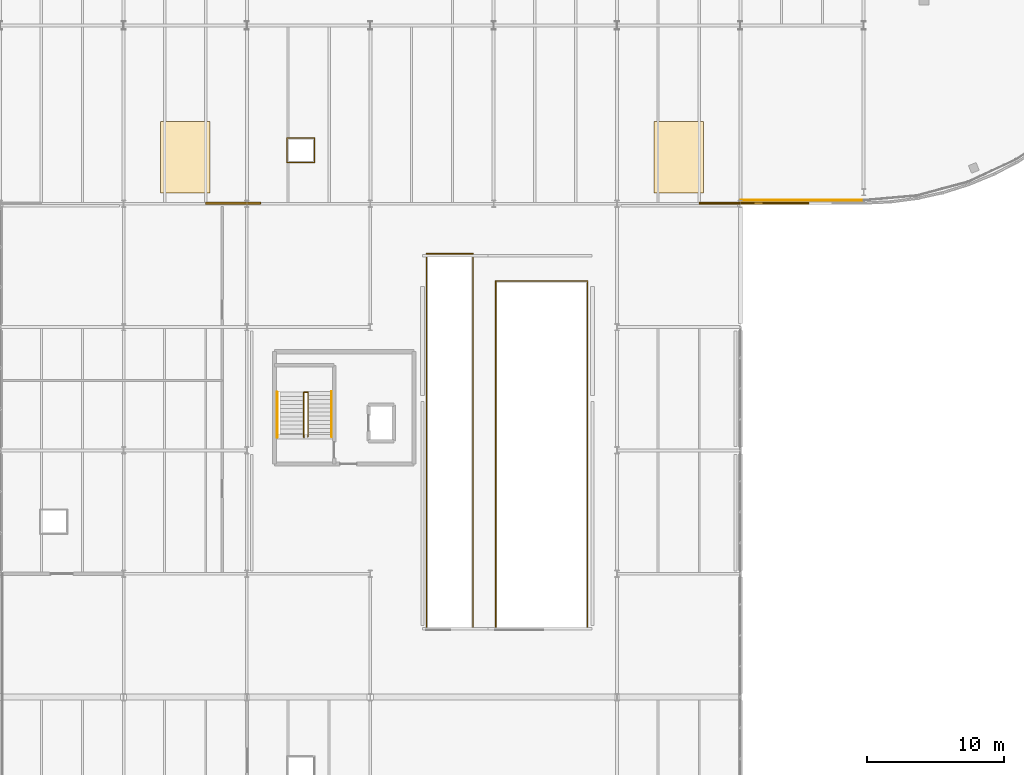
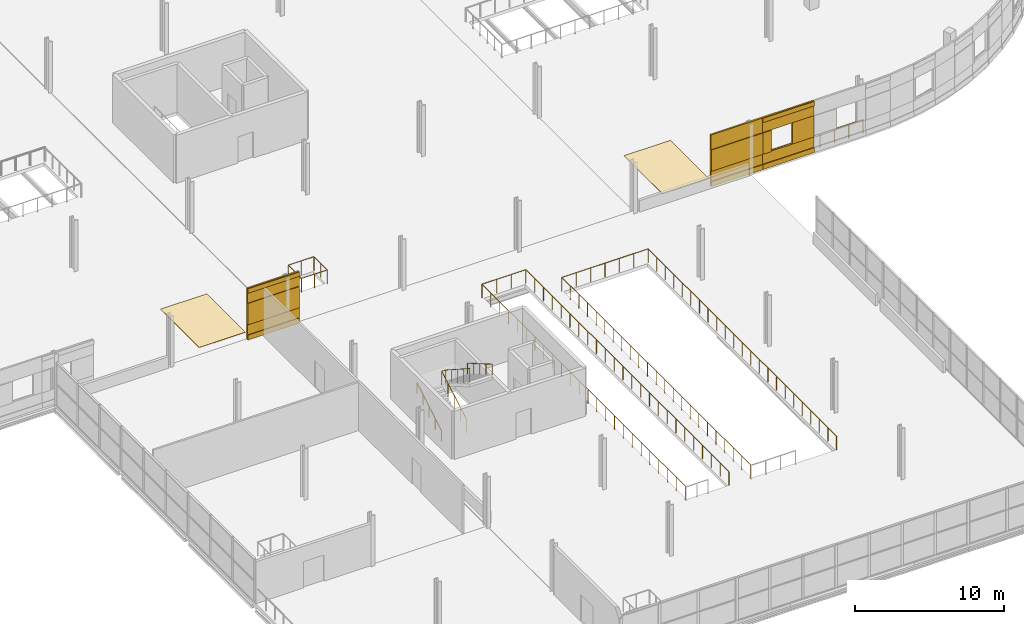
# One storey, part 81 of 88: 17 coverings, 8 railings.
"""IFC4 building model written with IfcOpenShell, lengths in metres."""

from ifc_helpers import new_model, si_unit, direction, frame, origin, origin_2d, place, context, subcontext, project, spatial, polyline, rectangle, circle, outline, extrude, material, layer, layer_set, type_object, element, save


model = new_model("IFC4")

# Units and contexts
model_context = context("Model", 3, precision=1e-05, world=origin(), true_north=direction((0.0, 1.0)))
body_context = subcontext(model_context, "Body", "Model", "MODEL_VIEW")
ifc_project = project(units=[si_unit("LENGTHUNIT", "METRE"), si_unit("AREAUNIT", "SQUARE_METRE"), si_unit("VOLUMEUNIT", "CUBIC_METRE"), si_unit("PLANEANGLEUNIT", "RADIAN"), si_unit("MASSUNIT", "GRAM", prefix="KILO")], contexts=[model_context])

# Site, building, storey
site_placement = place(None, origin())
site = spatial("IfcSite", under=ifc_project, at=site_placement, CompositionType="ELEMENT")
building_placement = place(site_placement, origin())
building = spatial("IfcBuilding", under=site, at=building_placement, Name="Deido Ridge Mobility Hub", CompositionType="ELEMENT")
storey_placement = place(building_placement, frame((0.0, 0.0, 16.800048828125)))
storey = spatial("IfcBuildingStorey", under=building, at=storey_placement, Name="L04", CompositionType="ELEMENT", Elevation=16.800048828125)

# Coverings
ifc_material_1 = material(Name="Fired clay brick masonry", Category="masonry")
ifc_layer_1 = layer(ifc_material_1, 0.114990234375, Name="Fired clay brick masonry")
ifc_layer_set_1 = layer_set([ifc_layer_1], Name="Fired clay brick masonry")
covering_type_1 = type_object("IfcCoveringType", Name="COV-BRK-SCREEN-115", PredefinedType="CLADDING", material=ifc_layer_set_1)
covering_1_placement = place(storey_placement, frame((71.0, 81.052490234375, 0.0), z_axis=(0.0, 0.0, 1.0), x_axis=(1.0, 0.0, 0.0)))
element("IfcCovering", 1, at=covering_1_placement, inside=storey, type_object=covering_type_1, Name="Open brickwork spandrel course BKS1 (L04)", PredefinedType="CLADDING", context=body_context, shape_type="SweptSolid", body=[
    extrude(rectangle(XDim=4.01611328125, YDim=0.125, at=origin_2d()), origin(), (0.0, 0.0, 1.0), 1.25),
])
covering_2_placement = place(storey_placement, frame((71.0, 81.02490234375, 0.0), z_axis=(0.0, 0.0, 1.0), x_axis=(1.0, 0.0, 0.0)))
element("IfcCovering", 2, at=covering_2_placement, inside=storey, type_object=covering_type_1, Name="Raised brick relief belt BKS1 (L04)", PredefinedType="CLADDING", context=body_context, shape_type="SweptSolid", body=[
    extrude(rectangle(XDim=4.01611328125, YDim=0.179931640625, at=origin_2d()), origin(), (0.0, 0.0, 1.0), 0.39990234375),
])
covering_3_placement = place(storey_placement, frame((71.0, 81.052490234375, 3.0), z_axis=(0.0, 0.0, 1.0), x_axis=(1.0, 0.0, 0.0)))
element("IfcCovering", 3, at=covering_3_placement, inside=storey, type_object=covering_type_1, Name="Open brickwork lintel course BKS1 (L04)", PredefinedType="CLADDING", context=body_context, shape_type="SweptSolid", body=[
    extrude(rectangle(XDim=4.01611328125, YDim=0.125, at=origin_2d()), origin(), (0.0, 0.0, 1.0), 1.199951171875),
])
covering_4_placement = place(storey_placement, frame((71.0, 81.02490234375, 3.83984375), z_axis=(0.0, 0.0, 1.0), x_axis=(1.0, 0.0, 0.0)))
element("IfcCovering", 4, at=covering_4_placement, inside=storey, type_object=covering_type_1, Name="Raised brick relief cornice BKS1 (L04)", PredefinedType="CLADDING", context=body_context, shape_type="SweptSolid", body=[
    extrude(rectangle(XDim=4.01611328125, YDim=0.179931640625, at=origin_2d()), origin(), (0.0, 0.0, 1.0), 0.360107421875),
])
covering_5_placement = place(storey_placement, frame((71.0, 81.02490234375, 1.25), z_axis=(0.0, 0.0, 1.0), x_axis=(1.0, 0.0, 0.0)))
element("IfcCovering", 5, at=covering_5_placement, inside=storey, type_object=covering_type_1, Name="Raised brick relief panel BKS1 (L04)", PredefinedType="CLADDING", context=body_context, shape_type="SweptSolid", body=[
    extrude(rectangle(XDim=4.008056640625, YDim=0.179931640625, at=origin_2d()), origin(), (0.0, 0.0, 1.0), 1.75),
])
covering_6_placement = place(storey_placement, frame((107.0, 81.052490234375, 0.0), z_axis=(0.0, 0.0, 1.0), x_axis=(1.0, 0.0, 0.0)))
element("IfcCovering", 6, at=covering_6_placement, inside=storey, type_object=covering_type_1, Name="Open brickwork spandrel course BKS1 (L04)", PredefinedType="CLADDING", context=body_context, shape_type="SweptSolid", body=[
    extrude(rectangle(XDim=4.01611328125, YDim=0.125, at=origin_2d()), origin(), (0.0, 0.0, 1.0), 1.25),
])
covering_7_placement = place(storey_placement, frame((107.0, 81.02490234375, 0.0), z_axis=(0.0, 0.0, 1.0), x_axis=(1.0, 0.0, 0.0)))
element("IfcCovering", 7, at=covering_7_placement, inside=storey, type_object=covering_type_1, Name="Raised brick relief belt BKS1 (L04)", PredefinedType="CLADDING", context=body_context, shape_type="SweptSolid", body=[
    extrude(rectangle(XDim=4.01611328125, YDim=0.179931640625, at=origin_2d()), origin(), (0.0, 0.0, 1.0), 0.39990234375),
])
covering_8_placement = place(storey_placement, frame((107.0, 81.052490234375, 3.0), z_axis=(0.0, 0.0, 1.0), x_axis=(1.0, 0.0, 0.0)))
element("IfcCovering", 8, at=covering_8_placement, inside=storey, type_object=covering_type_1, Name="Open brickwork lintel course BKS1 (L04)", PredefinedType="CLADDING", context=body_context, shape_type="SweptSolid", body=[
    extrude(rectangle(XDim=4.01611328125, YDim=0.125, at=origin_2d()), origin(), (0.0, 0.0, 1.0), 1.199951171875),
])
covering_9_placement = place(storey_placement, frame((107.0, 81.02490234375, 1.25), z_axis=(0.0, 0.0, 1.0), x_axis=(1.0, 0.0, 0.0)))
element("IfcCovering", 9, at=covering_9_placement, inside=storey, type_object=covering_type_1, Name="Raised brick relief panel BKS1 (L04)", PredefinedType="CLADDING", context=body_context, shape_type="SweptSolid", body=[
    extrude(rectangle(XDim=4.008056640625, YDim=0.179931640625, at=origin_2d()), origin(), (0.0, 0.0, 1.0), 1.75),
])
covering_10_placement = place(storey_placement, frame((111.0, 81.052490234375, 0.0), z_axis=(0.0, 0.0, 1.0), x_axis=(1.0, 0.0, 0.0)))
element("IfcCovering", 10, at=covering_10_placement, inside=storey, type_object=covering_type_1, Name="Open brickwork spandrel course BKS1 (L04)", PredefinedType="CLADDING", context=body_context, shape_type="SweptSolid", body=[
    extrude(rectangle(XDim=4.01611328125, YDim=0.125, at=origin_2d()), origin(), (0.0, 0.0, 1.0), 1.25),
])
covering_11_placement = place(storey_placement, frame((111.0, 81.02490234375, 0.0), z_axis=(0.0, 0.0, 1.0), x_axis=(1.0, 0.0, 0.0)))
element("IfcCovering", 11, at=covering_11_placement, inside=storey, type_object=covering_type_1, Name="Raised brick relief belt BKS1 (L04)", PredefinedType="CLADDING", context=body_context, shape_type="SweptSolid", body=[
    extrude(rectangle(XDim=4.01611328125, YDim=0.179931640625, at=origin_2d()), origin(), (0.0, 0.0, 1.0), 0.39990234375),
])
covering_12_placement = place(storey_placement, frame((111.0, 81.052490234375, 3.0), z_axis=(0.0, 0.0, 1.0), x_axis=(1.0, 0.0, 0.0)))
element("IfcCovering", 12, at=covering_12_placement, inside=storey, type_object=covering_type_1, Name="Open brickwork lintel course BKS1 (L04)", PredefinedType="CLADDING", context=body_context, shape_type="SweptSolid", body=[
    extrude(rectangle(XDim=4.01611328125, YDim=0.125, at=origin_2d()), origin(), (0.0, 0.0, 1.0), 1.199951171875),
])
covering_13_placement = place(storey_placement, frame((111.0, 81.02490234375, 3.83984375), z_axis=(0.0, 0.0, 1.0), x_axis=(1.0, 0.0, 0.0)))
element("IfcCovering", 13, at=covering_13_placement, inside=storey, type_object=covering_type_1, Name="Raised brick relief cornice BKS1 (L04)", PredefinedType="CLADDING", context=body_context, shape_type="SweptSolid", body=[
    extrude(rectangle(XDim=4.01611328125, YDim=0.179931640625, at=origin_2d()), origin(), (0.0, 0.0, 1.0), 0.360107421875),
])
covering_14_placement = place(storey_placement, frame((109.327392578125, 81.02490234375, 1.25), z_axis=(0.0, 0.0, 1.0), x_axis=(1.0, 0.0, 0.0)))
element("IfcCovering", 14, at=covering_14_placement, inside=storey, type_object=covering_type_1, Name="Open brickwork pier BKS1 (L04)", PredefinedType="CLADDING", context=body_context, shape_type="SweptSolid", body=[
    extrude(rectangle(XDim=0.655029296875, YDim=0.179931640625, at=origin_2d()), origin(), (0.0, 0.0, 1.0), 1.75),
])
covering_15_placement = place(storey_placement, frame((112.152587890625, 81.052490234375, 1.25), z_axis=(0.0, 0.0, 1.0), x_axis=(1.0, 0.0, 0.0)))
element("IfcCovering", 15, at=covering_15_placement, inside=storey, type_object=covering_type_1, Name="Open brickwork pier BKS1 (L04)", PredefinedType="CLADDING", context=body_context, shape_type="SweptSolid", body=[
    extrude(rectangle(XDim=1.695068359375, YDim=0.125, at=origin_2d()), origin(), (0.0, 0.0, 1.0), 1.75),
])
ifc_material_2 = material(Name="Epoxy terrazzo floor finish")
ifc_layer_2 = layer(ifc_material_2, 0.02001953125, Name="Epoxy terrazzo floor finish")
ifc_layer_set_2 = layer_set([ifc_layer_2], Name="Epoxy terrazzo floor finish")
covering_type_2 = type_object("IfcCoveringType", Name="COV-FLR-TER-20", PredefinedType="FLOORING", material=ifc_layer_set_2)
covering_16_placement = place(storey_placement, origin())
element("IfcCovering", 16, at=covering_16_placement, inside=storey, type_object=covering_type_2, Name="Accessible parking bay marking AB15", PredefinedType="FLOORING", context=body_context, shape_type="SweptSolid", body=[
    extrude(outline(polyline([(65.699951171875, 81.800048828125), (69.300048828125, 81.800048828125), (69.300048828125, 87.0), (65.699951171875, 87.0), (65.699951171875, 81.800048828125)])), origin(), (0.0, 0.0, 1.0), 0.02001953125),
])
covering_17_placement = place(storey_placement, origin())
element("IfcCovering", 17, at=covering_17_placement, inside=storey, type_object=covering_type_2, Name="Accessible parking bay marking AB16", PredefinedType="FLOORING", context=body_context, shape_type="SweptSolid", body=[
    extrude(outline(polyline([(101.699951171875, 81.800048828125), (105.300048828125, 81.800048828125), (105.300048828125, 87.0), (101.699951171875, 87.0), (101.699951171875, 81.800048828125)])), origin(), (0.0, 0.0, 1.0), 0.02001953125),
])

# Railings
ifc_material_3 = material(Name="Galvanised steel work", Category="steel")
railing_type_1 = type_object("IfcRailingType", Name="RL-GRD-EXT-1150", PredefinedType="GUARDRAIL", material=ifc_material_3)
railing_1_placement = place(storey_placement, frame((108.0400390625, 81.25, 0.0)))
element("IfcRailing", 18, at=railing_1_placement, inside=storey, type_object=railing_type_1, Name="Parking drum perimeter guard (L04)", PredefinedType="GUARDRAIL", context=body_context, shape_type="SweptSolid", body=[
    extrude(circle(Radius=0.02392578125, at=origin_2d()), frame((0.0, 0.0, 1.1259765625), z_axis=(1.0, 0.0, 0.0), x_axis=(0.0, 1.0, 0.0)), (0.0, 0.0, 1.0), 8.919921875),
    extrude(circle(Radius=0.02099609375, at=origin_2d()), origin(), (0.0, 0.0, 1.0), 1.101806640625),
    extrude(circle(Radius=0.02099609375, at=origin_2d()), frame((1.114990234375, 0.0, 0.0)), (0.0, 0.0, 1.0), 1.101806640625),
    extrude(circle(Radius=0.02099609375, at=origin_2d()), frame((2.22998046875, 0.0, 0.0)), (0.0, 0.0, 1.0), 1.101806640625),
    extrude(circle(Radius=0.02099609375, at=origin_2d()), frame((3.344970703125, 0.0, 0.0)), (0.0, 0.0, 1.0), 1.101806640625),
    extrude(circle(Radius=0.02099609375, at=origin_2d()), frame((4.4599609375, 0.0, 0.0)), (0.0, 0.0, 1.0), 1.101806640625),
    extrude(circle(Radius=0.02099609375, at=origin_2d()), frame((5.574951171875, 0.0, 0.0)), (0.0, 0.0, 1.0), 1.101806640625),
    extrude(circle(Radius=0.02099609375, at=origin_2d()), frame((6.68994140625, 0.0, 0.0)), (0.0, 0.0, 1.0), 1.101806640625),
    extrude(circle(Radius=0.02099609375, at=origin_2d()), frame((7.804931640625, 0.0, 0.0)), (0.0, 0.0, 1.0), 1.101806640625),
    extrude(circle(Radius=0.02099609375, at=origin_2d()), frame((8.919921875, 0.0, 0.0)), (0.0, 0.0, 1.0), 1.101806640625),
])
railing_2_placement = place(storey_placement, frame((90.14990234375, 50.0, 0.0)))
element("IfcRailing", 19, at=railing_2_placement, inside=storey, type_object=railing_type_1, Name="Vehicle ramp well guard (L04)", PredefinedType="GUARDRAIL", context=body_context, shape_type="SweptSolid", body=[
    extrude(circle(Radius=0.02392578125, at=origin_2d()), frame((0.0, 0.0, 1.1259765625), z_axis=(0.0, 1.0, 0.0), x_axis=(-1.0, 0.0, 0.0)), (0.0, 0.0, 1.0), 25.35009765625),
    extrude(circle(Radius=0.02392578125, at=origin_2d()), frame((0.0, 25.35009765625, 1.1259765625), z_axis=(1.0, 0.0, 0.0), x_axis=(0.0, 1.0, 0.0)), (0.0, 0.0, 1.0), 6.7001953125),
    extrude(circle(Radius=0.02392578125, at=origin_2d()), frame((6.7001953125, 25.35009765625, 1.1259765625), z_axis=(0.0, -1.0, 0.0), x_axis=(1.0, 0.0, 0.0)), (0.0, 0.0, 1.0), 25.35009765625),
    extrude(circle(Radius=0.02099609375, at=origin_2d()), origin(), (0.0, 0.0, 1.0), 1.101806640625),
    extrude(circle(Radius=0.02099609375, at=origin_2d()), frame((0.0, 1.15234375, 0.0)), (0.0, 0.0, 1.0), 1.101806640625),
    extrude(circle(Radius=0.02099609375, at=origin_2d()), frame((0.0, 2.304443359375, 0.0)), (0.0, 0.0, 1.0), 1.101806640625),
    extrude(circle(Radius=0.02099609375, at=origin_2d()), frame((0.0, 3.456787109375, 0.0)), (0.0, 0.0, 1.0), 1.101806640625),
    extrude(circle(Radius=0.02099609375, at=origin_2d()), frame((0.0, 4.609130859375, 0.0)), (0.0, 0.0, 1.0), 1.101806640625),
    extrude(circle(Radius=0.02099609375, at=origin_2d()), frame((0.0, 5.761474609375, 0.0)), (0.0, 0.0, 1.0), 1.101806640625),
    extrude(circle(Radius=0.02099609375, at=origin_2d()), frame((0.0, 6.91357421875, 0.0)), (0.0, 0.0, 1.0), 1.101806640625),
    extrude(circle(Radius=0.02099609375, at=origin_2d()), frame((0.0, 8.06591796875, 0.0)), (0.0, 0.0, 1.0), 1.101806640625),
    extrude(circle(Radius=0.02099609375, at=origin_2d()), frame((0.0, 9.21826171875, 0.0)), (0.0, 0.0, 1.0), 1.101806640625),
    extrude(circle(Radius=0.02099609375, at=origin_2d()), frame((0.0, 10.37060546875, 0.0)), (0.0, 0.0, 1.0), 1.101806640625),
    extrude(circle(Radius=0.02099609375, at=origin_2d()), frame((0.0, 11.522705078125, 0.0)), (0.0, 0.0, 1.0), 1.101806640625),
    extrude(circle(Radius=0.02099609375, at=origin_2d()), frame((0.0, 12.675048828125, 0.0)), (0.0, 0.0, 1.0), 1.101806640625),
    extrude(circle(Radius=0.02099609375, at=origin_2d()), frame((0.0, 13.827392578125, 0.0)), (0.0, 0.0, 1.0), 1.101806640625),
    extrude(circle(Radius=0.02099609375, at=origin_2d()), frame((0.0, 14.9794921875, 0.0)), (0.0, 0.0, 1.0), 1.101806640625),
    extrude(circle(Radius=0.02099609375, at=origin_2d()), frame((0.0, 16.1318359375, 0.0)), (0.0, 0.0, 1.0), 1.101806640625),
    extrude(circle(Radius=0.02099609375, at=origin_2d()), frame((0.0, 17.2841796875, 0.0)), (0.0, 0.0, 1.0), 1.101806640625),
    extrude(circle(Radius=0.02099609375, at=origin_2d()), frame((0.0, 18.4365234375, 0.0)), (0.0, 0.0, 1.0), 1.101806640625),
    extrude(circle(Radius=0.02099609375, at=origin_2d()), frame((0.0, 19.588623046875, 0.0)), (0.0, 0.0, 1.0), 1.101806640625),
    extrude(circle(Radius=0.02099609375, at=origin_2d()), frame((0.0, 20.740966796875, 0.0)), (0.0, 0.0, 1.0), 1.101806640625),
    extrude(circle(Radius=0.02099609375, at=origin_2d()), frame((0.0, 21.893310546875, 0.0)), (0.0, 0.0, 1.0), 1.101806640625),
    extrude(circle(Radius=0.02099609375, at=origin_2d()), frame((0.0, 23.045654296875, 0.0)), (0.0, 0.0, 1.0), 1.101806640625),
    extrude(circle(Radius=0.02099609375, at=origin_2d()), frame((0.0, 24.19775390625, 0.0)), (0.0, 0.0, 1.0), 1.101806640625),
    extrude(circle(Radius=0.02099609375, at=origin_2d()), frame((0.0, 25.35009765625, 0.0)), (0.0, 0.0, 1.0), 1.101806640625),
    extrude(circle(Radius=0.02099609375, at=origin_2d()), frame((1.11669921875, 25.35009765625, 0.0)), (0.0, 0.0, 1.0), 1.101806640625),
    extrude(circle(Radius=0.02099609375, at=origin_2d()), frame((2.2333984375, 25.35009765625, 0.0)), (0.0, 0.0, 1.0), 1.101806640625),
    extrude(circle(Radius=0.02099609375, at=origin_2d()), frame((3.35009765625, 25.35009765625, 0.0)), (0.0, 0.0, 1.0), 1.101806640625),
    extrude(circle(Radius=0.02099609375, at=origin_2d()), frame((4.466796875, 25.35009765625, 0.0)), (0.0, 0.0, 1.0), 1.101806640625),
    extrude(circle(Radius=0.02099609375, at=origin_2d()), frame((5.58349609375, 25.35009765625, 0.0)), (0.0, 0.0, 1.0), 1.101806640625),
    extrude(circle(Radius=0.02099609375, at=origin_2d()), frame((6.7001953125, 25.35009765625, 0.0)), (0.0, 0.0, 1.0), 1.101806640625),
    extrude(circle(Radius=0.02099609375, at=origin_2d()), frame((6.7001953125, 24.19775390625, 0.0)), (0.0, 0.0, 1.0), 1.101806640625),
    extrude(circle(Radius=0.02099609375, at=origin_2d()), frame((6.7001953125, 23.045654296875, 0.0)), (0.0, 0.0, 1.0), 1.101806640625),
    extrude(circle(Radius=0.02099609375, at=origin_2d()), frame((6.7001953125, 21.893310546875, 0.0)), (0.0, 0.0, 1.0), 1.101806640625),
    extrude(circle(Radius=0.02099609375, at=origin_2d()), frame((6.7001953125, 20.740966796875, 0.0)), (0.0, 0.0, 1.0), 1.101806640625),
    extrude(circle(Radius=0.02099609375, at=origin_2d()), frame((6.7001953125, 19.588623046875, 0.0)), (0.0, 0.0, 1.0), 1.101806640625),
    extrude(circle(Radius=0.02099609375, at=origin_2d()), frame((6.7001953125, 18.4365234375, 0.0)), (0.0, 0.0, 1.0), 1.101806640625),
    extrude(circle(Radius=0.02099609375, at=origin_2d()), frame((6.7001953125, 17.2841796875, 0.0)), (0.0, 0.0, 1.0), 1.101806640625),
    extrude(circle(Radius=0.02099609375, at=origin_2d()), frame((6.7001953125, 16.1318359375, 0.0)), (0.0, 0.0, 1.0), 1.101806640625),
    extrude(circle(Radius=0.02099609375, at=origin_2d()), frame((6.7001953125, 14.9794921875, 0.0)), (0.0, 0.0, 1.0), 1.101806640625),
    extrude(circle(Radius=0.02099609375, at=origin_2d()), frame((6.7001953125, 13.827392578125, 0.0)), (0.0, 0.0, 1.0), 1.101806640625),
    extrude(circle(Radius=0.02099609375, at=origin_2d()), frame((6.7001953125, 12.675048828125, 0.0)), (0.0, 0.0, 1.0), 1.101806640625),
    extrude(circle(Radius=0.02099609375, at=origin_2d()), frame((6.7001953125, 11.522705078125, 0.0)), (0.0, 0.0, 1.0), 1.101806640625),
    extrude(circle(Radius=0.02099609375, at=origin_2d()), frame((6.7001953125, 10.37060546875, 0.0)), (0.0, 0.0, 1.0), 1.101806640625),
    extrude(circle(Radius=0.02099609375, at=origin_2d()), frame((6.7001953125, 9.21826171875, 0.0)), (0.0, 0.0, 1.0), 1.101806640625),
    extrude(circle(Radius=0.02099609375, at=origin_2d()), frame((6.7001953125, 8.06591796875, 0.0)), (0.0, 0.0, 1.0), 1.101806640625),
    extrude(circle(Radius=0.02099609375, at=origin_2d()), frame((6.7001953125, 6.91357421875, 0.0)), (0.0, 0.0, 1.0), 1.101806640625),
    extrude(circle(Radius=0.02099609375, at=origin_2d()), frame((6.7001953125, 5.761474609375, 0.0)), (0.0, 0.0, 1.0), 1.101806640625),
    extrude(circle(Radius=0.02099609375, at=origin_2d()), frame((6.7001953125, 4.609130859375, 0.0)), (0.0, 0.0, 1.0), 1.101806640625),
    extrude(circle(Radius=0.02099609375, at=origin_2d()), frame((6.7001953125, 3.456787109375, 0.0)), (0.0, 0.0, 1.0), 1.101806640625),
    extrude(circle(Radius=0.02099609375, at=origin_2d()), frame((6.7001953125, 2.304443359375, 0.0)), (0.0, 0.0, 1.0), 1.101806640625),
    extrude(circle(Radius=0.02099609375, at=origin_2d()), frame((6.7001953125, 1.15234375, 0.0)), (0.0, 0.0, 1.0), 1.101806640625),
    extrude(circle(Radius=0.02099609375, at=origin_2d()), frame((6.7001953125, 0.0, 0.0)), (0.0, 0.0, 1.0), 1.101806640625),
])
railing_3_placement = place(storey_placement, frame((85.10009765625, 50.0, 0.0)))
element("IfcRailing", 20, at=railing_3_placement, inside=storey, type_object=railing_type_1, Name="Cycle ramp well guard (L04)", PredefinedType="GUARDRAIL", context=body_context, shape_type="SweptSolid", body=[
    extrude(circle(Radius=0.02392578125, at=origin_2d()), frame((0.0, 0.0, 1.1259765625), z_axis=(0.0, 1.0, 0.0), x_axis=(-1.0, 0.0, 0.0)), (0.0, 0.0, 1.0), 27.35009765625),
    extrude(circle(Radius=0.02392578125, at=origin_2d()), frame((0.0, 27.35009765625, 1.1259765625), z_axis=(1.0, 0.0, 0.0), x_axis=(0.0, 1.0, 0.0)), (0.0, 0.0, 1.0), 3.39990234375),
    extrude(circle(Radius=0.02392578125, at=origin_2d()), frame((3.39990234375, 27.35009765625, 1.1259765625), z_axis=(0.0, -1.0, 0.0), x_axis=(1.0, 0.0, 0.0)), (0.0, 0.0, 1.0), 27.35009765625),
    extrude(circle(Radius=0.02099609375, at=origin_2d()), origin(), (0.0, 0.0, 1.0), 1.101806640625),
    extrude(circle(Radius=0.02099609375, at=origin_2d()), frame((0.0, 1.189208984375, 0.0)), (0.0, 0.0, 1.0), 1.101806640625),
    extrude(circle(Radius=0.02099609375, at=origin_2d()), frame((0.0, 2.378173828125, 0.0)), (0.0, 0.0, 1.0), 1.101806640625),
    extrude(circle(Radius=0.02099609375, at=origin_2d()), frame((0.0, 3.5673828125, 0.0)), (0.0, 0.0, 1.0), 1.101806640625),
    extrude(circle(Radius=0.02099609375, at=origin_2d()), frame((0.0, 4.756591796875, 0.0)), (0.0, 0.0, 1.0), 1.101806640625),
    extrude(circle(Radius=0.02099609375, at=origin_2d()), frame((0.0, 5.945556640625, 0.0)), (0.0, 0.0, 1.0), 1.101806640625),
    extrude(circle(Radius=0.02099609375, at=origin_2d()), frame((0.0, 7.134765625, 0.0)), (0.0, 0.0, 1.0), 1.101806640625),
    extrude(circle(Radius=0.02099609375, at=origin_2d()), frame((0.0, 8.323974609375, 0.0)), (0.0, 0.0, 1.0), 1.101806640625),
    extrude(circle(Radius=0.02099609375, at=origin_2d()), frame((0.0, 9.51318359375, 0.0)), (0.0, 0.0, 1.0), 1.101806640625),
    extrude(circle(Radius=0.02099609375, at=origin_2d()), frame((0.0, 10.7021484375, 0.0)), (0.0, 0.0, 1.0), 1.101806640625),
    extrude(circle(Radius=0.02099609375, at=origin_2d()), frame((0.0, 11.891357421875, 0.0)), (0.0, 0.0, 1.0), 1.101806640625),
    extrude(circle(Radius=0.02099609375, at=origin_2d()), frame((0.0, 13.08056640625, 0.0)), (0.0, 0.0, 1.0), 1.101806640625),
    extrude(circle(Radius=0.02099609375, at=origin_2d()), frame((0.0, 14.26953125, 0.0)), (0.0, 0.0, 1.0), 1.101806640625),
    extrude(circle(Radius=0.02099609375, at=origin_2d()), frame((0.0, 15.458740234375, 0.0)), (0.0, 0.0, 1.0), 1.101806640625),
    extrude(circle(Radius=0.02099609375, at=origin_2d()), frame((0.0, 16.64794921875, 0.0)), (0.0, 0.0, 1.0), 1.101806640625),
    extrude(circle(Radius=0.02099609375, at=origin_2d()), frame((0.0, 17.8369140625, 0.0)), (0.0, 0.0, 1.0), 1.101806640625),
    extrude(circle(Radius=0.02099609375, at=origin_2d()), frame((0.0, 19.026123046875, 0.0)), (0.0, 0.0, 1.0), 1.101806640625),
    extrude(circle(Radius=0.02099609375, at=origin_2d()), frame((0.0, 20.21533203125, 0.0)), (0.0, 0.0, 1.0), 1.101806640625),
    extrude(circle(Radius=0.02099609375, at=origin_2d()), frame((0.0, 21.404541015625, 0.0)), (0.0, 0.0, 1.0), 1.101806640625),
    extrude(circle(Radius=0.02099609375, at=origin_2d()), frame((0.0, 22.593505859375, 0.0)), (0.0, 0.0, 1.0), 1.101806640625),
    extrude(circle(Radius=0.02099609375, at=origin_2d()), frame((0.0, 23.78271484375, 0.0)), (0.0, 0.0, 1.0), 1.101806640625),
    extrude(circle(Radius=0.02099609375, at=origin_2d()), frame((0.0, 24.971923828125, 0.0)), (0.0, 0.0, 1.0), 1.101806640625),
    extrude(circle(Radius=0.02099609375, at=origin_2d()), frame((0.0, 26.160888671875, 0.0)), (0.0, 0.0, 1.0), 1.101806640625),
    extrude(circle(Radius=0.02099609375, at=origin_2d()), frame((0.0, 27.35009765625, 0.0)), (0.0, 0.0, 1.0), 1.101806640625),
    extrude(circle(Radius=0.02099609375, at=origin_2d()), frame((1.13330078125, 27.35009765625, 0.0)), (0.0, 0.0, 1.0), 1.101806640625),
    extrude(circle(Radius=0.02099609375, at=origin_2d()), frame((2.2666015625, 27.35009765625, 0.0)), (0.0, 0.0, 1.0), 1.101806640625),
    extrude(circle(Radius=0.02099609375, at=origin_2d()), frame((3.39990234375, 27.35009765625, 0.0)), (0.0, 0.0, 1.0), 1.101806640625),
    extrude(circle(Radius=0.02099609375, at=origin_2d()), frame((3.39990234375, 26.160888671875, 0.0)), (0.0, 0.0, 1.0), 1.101806640625),
    extrude(circle(Radius=0.02099609375, at=origin_2d()), frame((3.39990234375, 24.971923828125, 0.0)), (0.0, 0.0, 1.0), 1.101806640625),
    extrude(circle(Radius=0.02099609375, at=origin_2d()), frame((3.39990234375, 23.78271484375, 0.0)), (0.0, 0.0, 1.0), 1.101806640625),
    extrude(circle(Radius=0.02099609375, at=origin_2d()), frame((3.39990234375, 22.593505859375, 0.0)), (0.0, 0.0, 1.0), 1.101806640625),
    extrude(circle(Radius=0.02099609375, at=origin_2d()), frame((3.39990234375, 21.404541015625, 0.0)), (0.0, 0.0, 1.0), 1.101806640625),
    extrude(circle(Radius=0.02099609375, at=origin_2d()), frame((3.39990234375, 20.21533203125, 0.0)), (0.0, 0.0, 1.0), 1.101806640625),
    extrude(circle(Radius=0.02099609375, at=origin_2d()), frame((3.39990234375, 19.026123046875, 0.0)), (0.0, 0.0, 1.0), 1.101806640625),
    extrude(circle(Radius=0.02099609375, at=origin_2d()), frame((3.39990234375, 17.8369140625, 0.0)), (0.0, 0.0, 1.0), 1.101806640625),
    extrude(circle(Radius=0.02099609375, at=origin_2d()), frame((3.39990234375, 16.64794921875, 0.0)), (0.0, 0.0, 1.0), 1.101806640625),
    extrude(circle(Radius=0.02099609375, at=origin_2d()), frame((3.39990234375, 15.458740234375, 0.0)), (0.0, 0.0, 1.0), 1.101806640625),
    extrude(circle(Radius=0.02099609375, at=origin_2d()), frame((3.39990234375, 14.26953125, 0.0)), (0.0, 0.0, 1.0), 1.101806640625),
    extrude(circle(Radius=0.02099609375, at=origin_2d()), frame((3.39990234375, 13.08056640625, 0.0)), (0.0, 0.0, 1.0), 1.101806640625),
    extrude(circle(Radius=0.02099609375, at=origin_2d()), frame((3.39990234375, 11.891357421875, 0.0)), (0.0, 0.0, 1.0), 1.101806640625),
    extrude(circle(Radius=0.02099609375, at=origin_2d()), frame((3.39990234375, 10.7021484375, 0.0)), (0.0, 0.0, 1.0), 1.101806640625),
    extrude(circle(Radius=0.02099609375, at=origin_2d()), frame((3.39990234375, 9.51318359375, 0.0)), (0.0, 0.0, 1.0), 1.101806640625),
    extrude(circle(Radius=0.02099609375, at=origin_2d()), frame((3.39990234375, 8.323974609375, 0.0)), (0.0, 0.0, 1.0), 1.101806640625),
    extrude(circle(Radius=0.02099609375, at=origin_2d()), frame((3.39990234375, 7.134765625, 0.0)), (0.0, 0.0, 1.0), 1.101806640625),
    extrude(circle(Radius=0.02099609375, at=origin_2d()), frame((3.39990234375, 5.945556640625, 0.0)), (0.0, 0.0, 1.0), 1.101806640625),
    extrude(circle(Radius=0.02099609375, at=origin_2d()), frame((3.39990234375, 4.756591796875, 0.0)), (0.0, 0.0, 1.0), 1.101806640625),
    extrude(circle(Radius=0.02099609375, at=origin_2d()), frame((3.39990234375, 3.5673828125, 0.0)), (0.0, 0.0, 1.0), 1.101806640625),
    extrude(circle(Radius=0.02099609375, at=origin_2d()), frame((3.39990234375, 2.378173828125, 0.0)), (0.0, 0.0, 1.0), 1.101806640625),
    extrude(circle(Radius=0.02099609375, at=origin_2d()), frame((3.39990234375, 1.189208984375, 0.0)), (0.0, 0.0, 1.0), 1.101806640625),
    extrude(circle(Radius=0.02099609375, at=origin_2d()), frame((3.39990234375, 0.0, 0.0)), (0.0, 0.0, 1.0), 1.101806640625),
])
railing_4_placement = place(storey_placement, frame((74.925048828125, 84.0, 0.0)))
element("IfcRailing", 21, at=railing_4_placement, inside=storey, type_object=railing_type_1, Name="Service riser shaft guard (L04) A", PredefinedType="GUARDRAIL", context=body_context, shape_type="SweptSolid", body=[
    extrude(circle(Radius=0.02392578125, at=origin_2d()), frame((0.0, 0.0, 1.1259765625), z_axis=(1.0, 0.0, 0.0), x_axis=(0.0, 1.0, 0.0)), (0.0, 0.0, 1.0), 2.0),
    extrude(circle(Radius=0.02392578125, at=origin_2d()), frame((2.0, 0.0, 1.1259765625), z_axis=(0.0, 1.0, 0.0), x_axis=(-1.0, 0.0, 0.0)), (0.0, 0.0, 1.0), 1.739990234375),
    extrude(circle(Radius=0.02099609375, at=origin_2d()), origin(), (0.0, 0.0, 1.0), 1.101806640625),
    extrude(circle(Radius=0.02099609375, at=origin_2d()), frame((1.0, 0.0, 0.0)), (0.0, 0.0, 1.0), 1.101806640625),
    extrude(circle(Radius=0.02099609375, at=origin_2d()), frame((2.0, 0.0, 0.0)), (0.0, 0.0, 1.0), 1.101806640625),
    extrude(circle(Radius=0.02099609375, at=origin_2d()), frame((2.0, 0.8701171875, 0.0)), (0.0, 0.0, 1.0), 1.101806640625),
    extrude(circle(Radius=0.02099609375, at=origin_2d()), frame((2.0, 1.739990234375, 0.0)), (0.0, 0.0, 1.0), 1.101806640625),
])
railing_5_placement = place(storey_placement, frame((76.925048828125, 85.800048828125, 0.0)))
element("IfcRailing", 22, at=railing_5_placement, inside=storey, type_object=railing_type_1, Name="Service riser shaft guard (L04) B", PredefinedType="GUARDRAIL", context=body_context, shape_type="SweptSolid", body=[
    extrude(circle(Radius=0.02392578125, at=origin_2d()), frame((0.0, 0.0, 1.1259765625), z_axis=(-1.0, 0.0, 0.0), x_axis=(0.0, -1.0, 0.0)), (0.0, 0.0, 1.0), 2.0),
    extrude(circle(Radius=0.02392578125, at=origin_2d()), frame((-2.0, 0.0, 1.1259765625), z_axis=(0.0, -1.0, 0.0), x_axis=(1.0, 0.0, 0.0)), (0.0, 0.0, 1.0), 1.739990234375),
    extrude(circle(Radius=0.02099609375, at=origin_2d()), origin(), (0.0, 0.0, 1.0), 1.101806640625),
    extrude(circle(Radius=0.02099609375, at=origin_2d()), frame((-1.0, 0.0, 0.0)), (0.0, 0.0, 1.0), 1.101806640625),
    extrude(circle(Radius=0.02099609375, at=origin_2d()), frame((-2.0, 0.0, 0.0)), (0.0, 0.0, 1.0), 1.101806640625),
    extrude(circle(Radius=0.02099609375, at=origin_2d()), frame((-2.0, -0.8701171875, 0.0)), (0.0, 0.0, 1.0), 1.101806640625),
    extrude(circle(Radius=0.02099609375, at=origin_2d()), frame((-2.0, -1.739990234375, 0.0)), (0.0, 0.0, 1.0), 1.101806640625),
])
railing_type_2 = type_object("IfcRailingType", Name="RL-STAIR-GRD-1150", PredefinedType="GUARDRAIL", material=ifc_material_3)
railing_6_placement = place(storey_placement, frame((76.14990234375, 63.949951171875, 0.175048828125)))
element("IfcRailing", 23, at=railing_6_placement, inside=storey, type_object=railing_type_2, Name="ST4 inner well guard (L04)", PredefinedType="GUARDRAIL", context=body_context, shape_type="SweptSolid", body=[
    extrude(circle(Radius=0.02392578125, at=origin_2d()), frame((0.0, 0.0, 1.1259765625), z_axis=(0.0, 0.863804395585, 0.503827317807), x_axis=(-1.0, 0.0, 0.0)), (0.0, 0.0, 1.0), 3.8203125),
    extrude(circle(Radius=0.02392578125, at=origin_2d()), frame((0.0, 3.300048828125, 3.05078125), z_axis=(1.0, 0.0, 0.0), x_axis=(0.0, 1.0, 0.0)), (0.0, 0.0, 1.0), 0.300048828125),
    extrude(circle(Radius=0.02392578125, at=origin_2d()), frame((0.300048828125, 3.300048828125, 3.05078125), z_axis=(0.0, -0.839905164138, 0.542733189748), x_axis=(1.0, 0.0, 0.0)), (0.0, 0.0, 1.0), 3.869384765625),
    extrude(circle(Radius=0.02099609375, at=origin_2d()), origin(), (0.0, 0.0, 1.0), 1.101806640625),
    extrude(circle(Radius=0.02099609375, at=origin_2d()), frame((0.0, 0.824951171875, 0.481201171875)), (0.0, 0.0, 1.0), 1.101806640625),
    extrude(circle(Radius=0.02099609375, at=origin_2d()), frame((0.0, 1.64990234375, 0.96240234375)), (0.0, 0.0, 1.0), 1.101806640625),
    extrude(circle(Radius=0.02099609375, at=origin_2d()), frame((0.0, 2.47509765625, 1.443603515625)), (0.0, 0.0, 1.0), 1.101806640625),
    extrude(circle(Radius=0.02099609375, at=origin_2d()), frame((0.0, 3.300048828125, 1.9248046875)), (0.0, 0.0, 1.0), 1.101806640625),
    extrude(circle(Radius=0.02099609375, at=origin_2d()), frame((0.300048828125, 3.300048828125, 1.9248046875)), (0.0, 0.0, 1.0), 1.101806640625),
    extrude(circle(Radius=0.02099609375, at=origin_2d()), frame((0.300048828125, 2.487548828125, 2.44970703125)), (0.0, 0.0, 1.0), 1.101806640625),
    extrude(circle(Radius=0.02099609375, at=origin_2d()), frame((0.300048828125, 1.675048828125, 2.974853515625)), (0.0, 0.0, 1.0), 1.101806640625),
    extrude(circle(Radius=0.02099609375, at=origin_2d()), frame((0.300048828125, 0.862548828125, 3.5)), (0.0, 0.0, 1.0), 1.101806640625),
    extrude(circle(Radius=0.02099609375, at=origin_2d()), frame((0.300048828125, 0.050048828125, 4.02490234375)), (0.0, 0.0, 1.0), 1.101806640625),
])
ifc_material_4 = material(Name="Stainless steel 316", Category="steel")
railing_type_3 = type_object("IfcRailingType", Name="RL-STAIR-HND-900", PredefinedType="HANDRAIL", material=ifc_material_4)
railing_7_placement = place(storey_placement, frame((74.2099609375, 63.949951171875, 0.175048828125)))
element("IfcRailing", 24, at=railing_7_placement, inside=storey, type_object=railing_type_3, Name="ST4 flight 1 handrail (L04)", PredefinedType="HANDRAIL", context=body_context, shape_type="SweptSolid", body=[
    extrude(circle(Radius=0.02392578125, at=origin_2d()), frame((0.0, 0.0, 0.8759765625), z_axis=(0.0, 0.863804395585, 0.503827317807), x_axis=(-1.0, 0.0, 0.0)), (0.0, 0.0, 1.0), 3.8203125),
    extrude(circle(Radius=0.02099609375, at=origin_2d()), origin(), (0.0, 0.0, 1.0), 0.851806640625),
    extrude(circle(Radius=0.02099609375, at=origin_2d()), frame((0.0, 0.824951171875, 0.481201171875)), (0.0, 0.0, 1.0), 0.851806640625),
    extrude(circle(Radius=0.02099609375, at=origin_2d()), frame((0.0, 1.64990234375, 0.96240234375)), (0.0, 0.0, 1.0), 0.851806640625),
    extrude(circle(Radius=0.02099609375, at=origin_2d()), frame((0.0, 2.47509765625, 1.443603515625)), (0.0, 0.0, 1.0), 0.851806640625),
    extrude(circle(Radius=0.02099609375, at=origin_2d()), frame((0.0, 3.300048828125, 1.9248046875)), (0.0, 0.0, 1.0), 0.851806640625),
])
railing_8_placement = place(storey_placement, frame((78.175048828125, 67.300048828125, 2.27490234375)))
element("IfcRailing", 25, at=railing_8_placement, inside=storey, type_object=railing_type_3, Name="ST4 flight 2 handrail (L04)", PredefinedType="HANDRAIL", context=body_context, shape_type="SweptSolid", body=[
    extrude(circle(Radius=0.02392578125, at=origin_2d()), frame((0.0, 0.0, 0.8759765625), z_axis=(0.0, -0.863776583165, 0.503874998761), x_axis=(1.0, 0.0, 0.0)), (0.0, 0.0, 1.0), 3.820556640625),
    extrude(circle(Radius=0.02099609375, at=origin_2d()), origin(), (0.0, 0.0, 1.0), 0.851806640625),
    extrude(circle(Radius=0.02099609375, at=origin_2d()), frame((0.0, -0.824951171875, 0.481201171875)), (0.0, 0.0, 1.0), 0.851806640625),
    extrude(circle(Radius=0.02099609375, at=origin_2d()), frame((0.0, -1.64990234375, 0.96240234375)), (0.0, 0.0, 1.0), 0.851806640625),
    extrude(circle(Radius=0.02099609375, at=origin_2d()), frame((0.0, -2.47509765625, 1.44384765625)), (0.0, 0.0, 1.0), 0.851806640625),
    extrude(circle(Radius=0.02099609375, at=origin_2d()), frame((0.0, -3.300048828125, 1.925048828125)), (0.0, 0.0, 1.0), 0.851806640625),
])

save(model, "model.ifc")
